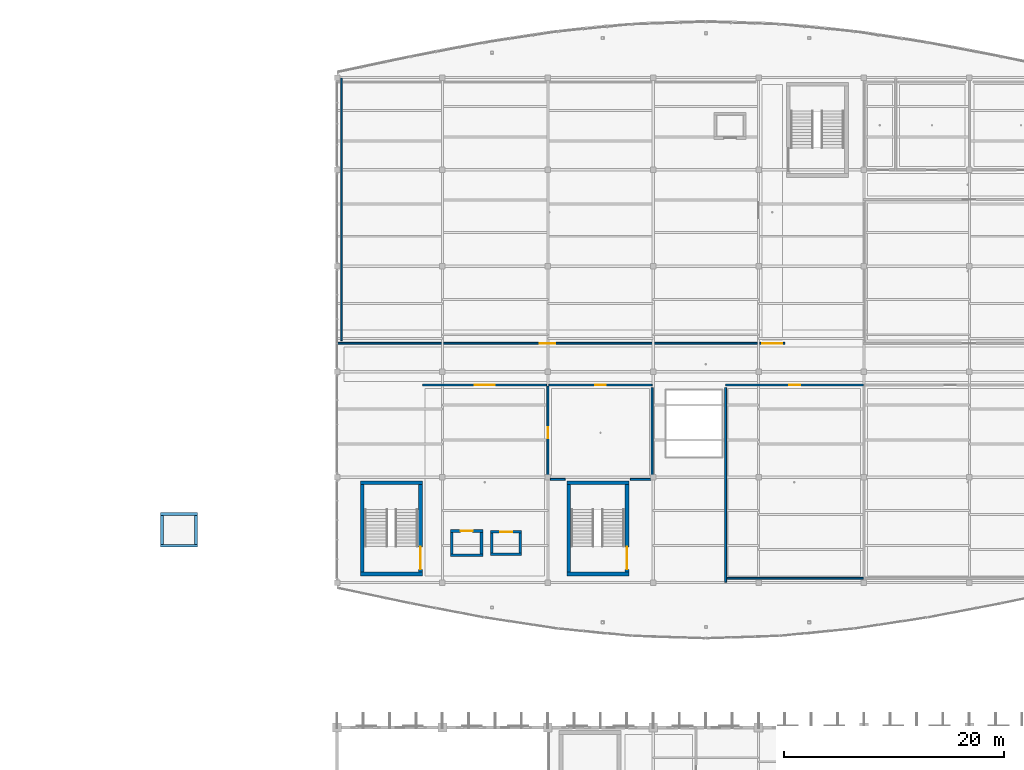
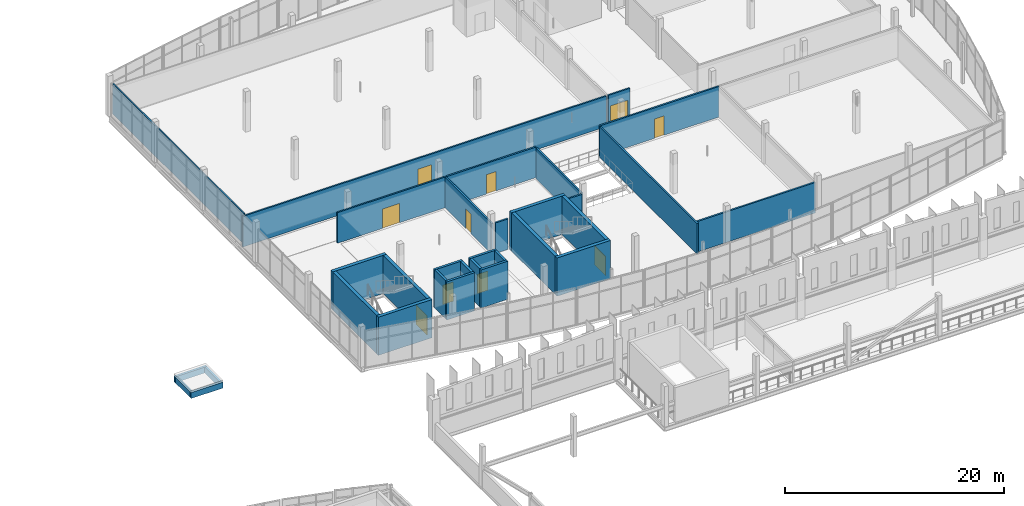
# One storey, part 96 of 114: 32 walls, 10 doors, 10 openings.
"""IFC4 building model written with IfcOpenShell, lengths in metres."""

from ifc_helpers import new_model, si_unit, direction, frame, frame_2d, origin, place, context, subcontext, project, spatial, rectangle, extrude, material, layer, layer_set, type_object, element, fill, save


model = new_model("IFC4")

# Units and contexts
model_context = context("Model", 3, precision=1e-05, world=origin(), true_north=direction((0.0, 1.0)))
body_context = subcontext(model_context, "Body", "Model", "MODEL_VIEW")
ifc_project = project(units=[si_unit("LENGTHUNIT", "METRE"), si_unit("AREAUNIT", "SQUARE_METRE"), si_unit("VOLUMEUNIT", "CUBIC_METRE"), si_unit("PLANEANGLEUNIT", "RADIAN"), si_unit("MASSUNIT", "GRAM", prefix="KILO")], contexts=[model_context])

# Site, building, storey
site_placement = place(None, origin())
site = spatial("IfcSite", under=ifc_project, at=site_placement, CompositionType="ELEMENT")
building_placement = place(site_placement, origin())
building = spatial("IfcBuilding", under=site, at=building_placement, Name="Chalmorin Arch Market", CompositionType="ELEMENT")
storey_placement = place(building_placement, frame((0.0, 0.0, 9.60009765625)))
storey = spatial("IfcBuildingStorey", under=building, at=storey_placement, Name="L02", CompositionType="ELEMENT", Elevation=9.60009765625)

# Wall, opening, door
ifc_material_1 = material(Name="Gypsum Board Partition")
ifc_layer_1 = layer(ifc_material_1, 0.175048828125)
ifc_layer_set_1 = layer_set([ifc_layer_1], Name="Gypsum Board Partition")
wall_type_1 = type_object("IfcWallType", Name="AcousticStudioPartition-175", PredefinedType="PARTITIONING", material=ifc_layer_set_1)
wall_1_placement = place(storey_placement, frame((67.199951171875, 81.39990234375, 0.0), z_axis=(0.0, 0.0, 1.0), x_axis=(0.0, 1.0, 0.0)))
wall_1 = element("IfcWall", 1, at=wall_1_placement, inside=storey, type_object=wall_type_1, Name="ASP-175-549", PredefinedType="PARTITIONING", context=body_context, shape_type="SweptSolid", body=[
    extrude(rectangle(XDim=8.5, YDim=0.175048828125, at=frame_2d((4.25, 0.0))), origin(), (0.0, 0.0, 1.0), 3.39990234375),
])
opening_1_placement = place(wall_1_placement, frame((3.75, 0.0, 0.0)))
opening_1 = element("IfcOpeningElement", 2, at=opening_1_placement, cuts=wall_1, Name="Opening ID-181", PredefinedType="OPENING", context=body_context, shape_type="SweptSolid", body=[
    extrude(rectangle(XDim=1.0, YDim=2.14990234375, at=frame_2d((0.5, 1.074951171875))), frame((0.0, 0.097412109375, 0.0), z_axis=(0.0, -1.0, 0.0), x_axis=(1.0, 0.0, 0.0)), (0.0, 0.0, 1.0), 0.195068359375),
])
ifc_material_2 = material(Name="Oak Engineered Timber", Category="wood")
door_type_1 = type_object("IfcDoorType", Name="ClassroomAcousticDoor-1000x2150", OperationType="NOTDEFINED", PredefinedType="DOOR", material=ifc_material_2)
door_1_placement = place(opening_1_placement, origin())
door_1 = element("IfcDoor", 3, at=door_1_placement, inside=storey, type_object=door_type_1, Name="ID-181", OperationType="SINGLE_SWING_LEFT", OverallHeight=2.14990234375, OverallWidth=1.0, PredefinedType="DOOR", context=body_context, shape_type="SweptSolid", body=[
    extrude(rectangle(XDim=1.0, YDim=2.14990234375, at=frame_2d((0.5, 1.074951171875))), frame((0.0, 0.02490234375, 0.0), z_axis=(0.0, -1.0, 0.0), x_axis=(1.0, 0.0, 0.0)), (0.0, 0.0, 1.0), 0.050048828125),
])
fill(opening_1, door_1)

wall_2_placement = place(storey_placement, frame((67.300048828125, 90.0, 0.0), z_axis=(0.0, 0.0, 1.0), x_axis=(1.0, 0.0, 0.0)))
wall_2 = element("IfcWall", 4, at=wall_2_placement, inside=storey, type_object=wall_type_1, Name="ASP-175-551", PredefinedType="PARTITIONING", context=body_context, shape_type="SweptSolid", body=[
    extrude(rectangle(XDim=9.39990234375, YDim=0.175048828125, at=frame_2d((4.699951171875, 0.0))), origin(), (0.0, 0.0, 1.0), 3.39990234375),
])
opening_2_placement = place(wall_2_placement, frame((4.199951171875, 0.0, 0.0)))
opening_2 = element("IfcOpeningElement", 5, at=opening_2_placement, cuts=wall_2, Name="Opening ID-183", PredefinedType="OPENING", context=body_context, shape_type="SweptSolid", body=[
    extrude(rectangle(XDim=1.0, YDim=2.14990234375, at=frame_2d((0.5, 1.074951171875))), frame((0.0, 0.097412109375, 0.0), z_axis=(0.0, -1.0, 0.0), x_axis=(1.0, 0.0, 0.0)), (0.0, 0.0, 1.0), 0.195068359375),
])
door_2_placement = place(opening_2_placement, origin())
door_2 = element("IfcDoor", 6, at=door_2_placement, inside=storey, type_object=door_type_1, Name="ID-183", OperationType="SINGLE_SWING_LEFT", OverallHeight=2.14990234375, OverallWidth=1.0, PredefinedType="DOOR", context=body_context, shape_type="SweptSolid", body=[
    extrude(rectangle(XDim=1.0, YDim=2.14990234375, at=frame_2d((0.5, 1.074951171875))), frame((0.0, 0.02490234375, 0.0), z_axis=(0.0, -1.0, 0.0), x_axis=(1.0, 0.0, 0.0)), (0.0, 0.0, 1.0), 0.050048828125),
])
fill(opening_2, door_2)

wall_3_placement = place(storey_placement, frame((83.39990234375, 90.0, 0.0), z_axis=(0.0, 0.0, 1.0), x_axis=(1.0, 0.0, 0.0)))
wall_3 = element("IfcWall", 7, at=wall_3_placement, inside=storey, type_object=wall_type_1, Name="ASP-175-553", PredefinedType="PARTITIONING", context=body_context, shape_type="SweptSolid", body=[
    extrude(rectangle(XDim=12.550048828125, YDim=0.175048828125, at=frame_2d((6.27490234375, 0.0))), origin(), (0.0, 0.0, 1.0), 3.39990234375),
])
opening_3_placement = place(wall_3_placement, frame((5.77490234375, 0.0, 0.0)))
opening_3 = element("IfcOpeningElement", 8, at=opening_3_placement, cuts=wall_3, Name="Opening ID-184", PredefinedType="OPENING", context=body_context, shape_type="SweptSolid", body=[
    extrude(rectangle(XDim=1.0, YDim=2.14990234375, at=frame_2d((0.5, 1.074951171875))), frame((0.0, 0.097412109375, 0.0), z_axis=(0.0, -1.0, 0.0), x_axis=(1.0, 0.0, 0.0)), (0.0, 0.0, 1.0), 0.195068359375),
])
door_3_placement = place(opening_3_placement, origin())
door_3 = element("IfcDoor", 9, at=door_3_placement, inside=storey, type_object=door_type_1, Name="ID-184", OperationType="SINGLE_SWING_RIGHT", OverallHeight=2.14990234375, OverallWidth=1.0, PredefinedType="DOOR", context=body_context, shape_type="SweptSolid", body=[
    extrude(rectangle(XDim=1.0, YDim=2.14990234375, at=frame_2d((0.5, 1.074951171875))), frame((0.0, 0.02490234375, 0.0), z_axis=(0.0, -1.0, 0.0), x_axis=(1.0, 0.0, 0.0)), (0.0, 0.0, 1.0), 0.050048828125),
])
fill(opening_3, door_3)

# Walls
wall_4_placement = place(storey_placement, frame((67.43994140625, 81.39990234375, 0.0), z_axis=(0.0, 0.0, 1.0), x_axis=(1.0, 0.0, 0.0)))
element("IfcWall", 10, at=wall_4_placement, inside=storey, type_object=wall_type_1, Name="ASP-175-572", PredefinedType="PARTITIONING", context=body_context, shape_type="SweptSolid", body=[
    extrude(rectangle(XDim=1.344970703125, YDim=0.175048828125, at=frame_2d((0.67236328125, 0.0))), origin(), (0.0, 0.0, 1.0), 3.39990234375),
])
wall_5_placement = place(storey_placement, frame((74.715087890625, 81.39990234375, 0.0), z_axis=(0.0, 0.0, 1.0), x_axis=(1.0, 0.0, 0.0)))
element("IfcWall", 11, at=wall_5_placement, inside=storey, type_object=wall_type_1, Name="ASP-175-573", PredefinedType="PARTITIONING", context=body_context, shape_type="SweptSolid", body=[
    extrude(rectangle(XDim=1.844970703125, YDim=0.175048828125, at=frame_2d((0.92236328125, 0.0))), origin(), (0.0, 0.0, 1.0), 3.39990234375),
])
wall_6_placement = place(storey_placement, frame((76.699951171875, 81.5400390625, 0.0), z_axis=(0.0, 0.0, 1.0), x_axis=(0.0, 1.0, 0.0)))
element("IfcWall", 12, at=wall_6_placement, inside=storey, type_object=wall_type_1, Name="ASP-175-574", PredefinedType="PARTITIONING", context=body_context, shape_type="SweptSolid", body=[
    extrude(rectangle(XDim=8.219970703125, YDim=0.175048828125, at=frame_2d((4.10986328125, 0.0))), origin(), (0.0, 0.0, 1.0), 3.39990234375),
])
wall_7_placement = place(storey_placement, frame((83.5400390625, 72.39990234375, 0.0), z_axis=(0.0, 0.0, 1.0), x_axis=(1.0, 0.0, 0.0)))
element("IfcWall", 13, at=wall_7_placement, inside=storey, type_object=wall_type_1, Name="ASP-175-575", PredefinedType="PARTITIONING", context=body_context, shape_type="SweptSolid", body=[
    extrude(rectangle(XDim=12.409912109375, YDim=0.175048828125, at=frame_2d((6.205078125, 0.0))), origin(), (0.0, 0.0, 1.0), 3.39990234375),
])
wall_8_placement = place(storey_placement, frame((83.39990234375, 72.050048828125, 0.0), z_axis=(0.0, 0.0, 1.0), x_axis=(0.0, 1.0, 0.0)))
element("IfcWall", 14, at=wall_8_placement, inside=storey, type_object=wall_type_1, Name="ASP-175-576", PredefinedType="PARTITIONING", context=body_context, shape_type="SweptSolid", body=[
    extrude(rectangle(XDim=17.7099609375, YDim=0.175048828125, at=frame_2d((8.85498046875, 0.0))), origin(), (0.0, 0.0, 1.0), 3.39990234375),
])
ifc_material_3 = material(Name="Concrete C40/50", Category="concrete")
ifc_layer_2 = layer(ifc_material_3, 0.35009765625)
ifc_layer_set_2 = layer_set([ifc_layer_2], Name="Concrete C40/50")
wall_type_2 = type_object("IfcWallType", Name="CoreShearWall-350", PredefinedType="SHEAR", material=ifc_layer_set_2)
for number, where, z_axis, x_axis, name in (
    (15, (55.77490234375, 72.800048828125, 0.0), (0.0, 0.0, 1.0), (-1.0, 0.0, 0.0), "CSW-350-077"),
    (16, (50.125, 81.10009765625, 0.0), (0.0, 0.0, 1.0), (1.0, 0.0, 0.0), "CSW-350-078"),
):
    element("IfcWall", number, at=place(storey_placement, frame(where, z_axis=z_axis, x_axis=x_axis)), inside=storey, type_object=wall_type_2, Name=name, PredefinedType="SHEAR", context=body_context, shape_type="SweptSolid", body=[
        extrude(rectangle(XDim=5.64990234375, YDim=0.35009765625, at=frame_2d((2.824951171875, 0.0))), origin(), (0.0, 0.0, 1.0), 4.25),
    ])
wall_9_placement = place(storey_placement, frame((50.300048828125, 72.97509765625, 0.0), z_axis=(0.0, 0.0, 1.0), x_axis=(0.0, 1.0, 0.0)))
element("IfcWall", 17, at=wall_9_placement, inside=storey, type_object=wall_type_2, Name="CSW-350-079", PredefinedType="SHEAR", context=body_context, shape_type="SweptSolid", body=[
    extrude(rectangle(XDim=7.949951171875, YDim=0.35009765625, at=frame_2d((3.97509765625, 0.0))), origin(), (0.0, 0.0, 1.0), 4.25),
])

# Wall, opening, door
wall_10_placement = place(storey_placement, frame((55.60009765625, 80.925048828125, 0.0), z_axis=(0.0, 0.0, 1.0), x_axis=(0.0, -1.0, 0.0)))
wall_10 = element("IfcWall", 18, at=wall_10_placement, inside=storey, type_object=wall_type_2, Name="CSW-350-080", PredefinedType="SHEAR", context=body_context, shape_type="SweptSolid", body=[
    extrude(rectangle(XDim=7.949951171875, YDim=0.35009765625, at=frame_2d((3.97509765625, 0.0))), origin(), (0.0, 0.0, 1.0), 4.25),
])
opening_4_placement = place(wall_10_placement, frame((5.679931640625, 0.0, 0.0)))
opening_4 = element("IfcOpeningElement", 19, at=opening_4_placement, cuts=wall_10, Name="Opening FD-SC5-L02", PredefinedType="OPENING", context=body_context, shape_type="SweptSolid", body=[
    extrude(rectangle(XDim=2.050048828125, YDim=2.14990234375, at=frame_2d((1.02490234375, 1.074951171875))), frame((0.0, 0.18505859375, 0.0), z_axis=(0.0, -1.0, 0.0), x_axis=(1.0, 0.0, 0.0)), (0.0, 0.0, 1.0), 0.3701171875),
])
ifc_material_4 = material(Name="Galvanised Steel", Category="steel")
door_type_2 = type_object("IfcDoorType", Name="DoubleFireExitDoor-2050x2150", OperationType="DOUBLE_DOOR_SINGLE_SWING", PredefinedType="DOOR", material=ifc_material_4)
door_4_placement = place(opening_4_placement, origin())
door_4 = element("IfcDoor", 20, at=door_4_placement, inside=storey, type_object=door_type_2, Name="FD-SC5-L02", OperationType="DOUBLE_DOOR_SINGLE_SWING", OverallHeight=2.14990234375, OverallWidth=2.050048828125, PredefinedType="DOOR", context=body_context, shape_type="SweptSolid", body=[
    extrude(rectangle(XDim=2.050048828125, YDim=2.14990234375, at=frame_2d((1.02490234375, 1.074951171875))), frame((0.0, 0.02490234375, 0.0), z_axis=(0.0, -1.0, 0.0), x_axis=(1.0, 0.0, 0.0)), (0.0, 0.0, 1.0), 0.050048828125),
])
fill(opening_4, door_4)

# Walls
for number, where, z_axis, x_axis, name in (
    (21, (74.574951171875, 72.800048828125, 0.0), (0.0, 0.0, 1.0), (-1.0, 0.0, 0.0), "CSW-350-117"),
    (22, (68.925048828125, 81.10009765625, 0.0), (0.0, 0.0, 1.0), (1.0, 0.0, 0.0), "CSW-350-118"),
):
    element("IfcWall", number, at=place(storey_placement, frame(where, z_axis=z_axis, x_axis=x_axis)), inside=storey, type_object=wall_type_2, Name=name, PredefinedType="SHEAR", context=body_context, shape_type="SweptSolid", body=[
        extrude(rectangle(XDim=5.64990234375, YDim=0.35009765625, at=frame_2d((2.824951171875, 0.0))), origin(), (0.0, 0.0, 1.0), 4.25),
    ])
wall_11_placement = place(storey_placement, frame((69.10009765625, 72.97509765625, 0.0), z_axis=(0.0, 0.0, 1.0), x_axis=(0.0, 1.0, 0.0)))
element("IfcWall", 23, at=wall_11_placement, inside=storey, type_object=wall_type_2, Name="CSW-350-119", PredefinedType="SHEAR", context=body_context, shape_type="SweptSolid", body=[
    extrude(rectangle(XDim=7.949951171875, YDim=0.35009765625, at=frame_2d((3.97509765625, 0.0))), origin(), (0.0, 0.0, 1.0), 4.25),
])

# Wall, opening, door
wall_12_placement = place(storey_placement, frame((74.39990234375, 80.925048828125, 0.0), z_axis=(0.0, 0.0, 1.0), x_axis=(0.0, -1.0, 0.0)))
wall_12 = element("IfcWall", 24, at=wall_12_placement, inside=storey, type_object=wall_type_2, Name="CSW-350-120", PredefinedType="SHEAR", context=body_context, shape_type="SweptSolid", body=[
    extrude(rectangle(XDim=7.949951171875, YDim=0.35009765625, at=frame_2d((3.97509765625, 0.0))), origin(), (0.0, 0.0, 1.0), 4.25),
])
opening_5_placement = place(wall_12_placement, frame((5.679931640625, 0.0, 0.0)))
opening_5 = element("IfcOpeningElement", 25, at=opening_5_placement, cuts=wall_12, Name="Opening FD-SC7-L02", PredefinedType="OPENING", context=body_context, shape_type="SweptSolid", body=[
    extrude(rectangle(XDim=2.050048828125, YDim=2.14990234375, at=frame_2d((1.02490234375, 1.074951171875))), frame((0.0, 0.18505859375, 0.0), z_axis=(0.0, -1.0, 0.0), x_axis=(1.0, 0.0, 0.0)), (0.0, 0.0, 1.0), 0.3701171875),
])
door_5_placement = place(opening_5_placement, origin())
door_5 = element("IfcDoor", 26, at=door_5_placement, inside=storey, type_object=door_type_2, Name="FD-SC7-L02", OperationType="DOUBLE_DOOR_SINGLE_SWING", OverallHeight=2.14990234375, OverallWidth=2.050048828125, PredefinedType="DOOR", context=body_context, shape_type="SweptSolid", body=[
    extrude(rectangle(XDim=2.050048828125, YDim=2.14990234375, at=frame_2d((1.02490234375, 1.074951171875))), frame((0.0, 0.02490234375, 0.0), z_axis=(0.0, -1.0, 0.0), x_axis=(1.0, 0.0, 0.0)), (0.0, 0.0, 1.0), 0.050048828125),
])
fill(opening_5, door_5)

ifc_layer_3 = layer(ifc_material_1, 0.159912109375)
ifc_layer_set_3 = layer_set([ifc_layer_3], Name="Gypsum Board Partition")
wall_type_3 = type_object("IfcWallType", Name="CorridorRatedPartition-160", PredefinedType="PARTITIONING", material=ifc_layer_set_3)
wall_13_placement = place(storey_placement, frame((55.800048828125, 90.0, 0.0), z_axis=(0.0, 0.0, 1.0), x_axis=(1.0, 0.0, 0.0)))
wall_13 = element("IfcWall", 27, at=wall_13_placement, inside=storey, type_object=wall_type_3, Name="CRP-160-550", PredefinedType="PARTITIONING", context=body_context, shape_type="SweptSolid", body=[
    extrude(rectangle(XDim=11.300048828125, YDim=0.159912109375, at=frame_2d((5.64990234375, 0.0))), origin(), (0.0, 0.0, 1.0), 3.39990234375),
])
opening_6_placement = place(wall_13_placement, frame((4.75, 0.0, 0.0)))
opening_6 = element("IfcOpeningElement", 28, at=opening_6_placement, cuts=wall_13, Name="Opening ID-182", PredefinedType="OPENING", context=body_context, shape_type="SweptSolid", body=[
    extrude(rectangle(XDim=1.800048828125, YDim=2.14990234375, at=frame_2d((0.89990234375, 1.074951171875))), frame((0.0, 0.08984375, 0.0), z_axis=(0.0, -1.0, 0.0), x_axis=(1.0, 0.0, 0.0)), (0.0, 0.0, 1.0), 0.179931640625),
])
door_type_3 = type_object("IfcDoorType", Name="CorridorFireDoubleDoor-1800x2150", OperationType="DOUBLE_DOOR_SINGLE_SWING", PredefinedType="DOOR", material=ifc_material_4)
door_6_placement = place(opening_6_placement, origin())
door_6 = element("IfcDoor", 29, at=door_6_placement, inside=storey, type_object=door_type_3, Name="ID-182", OperationType="DOUBLE_DOOR_SINGLE_SWING", OverallHeight=2.14990234375, OverallWidth=1.800048828125, PredefinedType="DOOR", context=body_context, shape_type="SweptSolid", body=[
    extrude(rectangle(XDim=1.800048828125, YDim=2.14990234375, at=frame_2d((0.89990234375, 1.074951171875))), frame((0.0, 0.02490234375, 0.0), z_axis=(0.0, -1.0, 0.0), x_axis=(1.0, 0.0, 0.0)), (0.0, 0.0, 1.0), 0.050048828125),
])
fill(opening_6, door_6)

wall_14_placement = place(storey_placement, frame((86.5, 93.800048828125, 0.0), z_axis=(0.0, 0.0, 1.0), x_axis=(1.0, 0.0, 0.0)))
wall_14 = element("IfcWall", 30, at=wall_14_placement, inside=storey, type_object=wall_type_3, Name="CRP-160-555", PredefinedType="PARTITIONING", context=body_context, shape_type="SweptSolid", body=[
    extrude(rectangle(XDim=2.300048828125, YDim=0.159912109375, at=frame_2d((1.14990234375, 0.0))), origin(), (0.0, 0.0, 1.0), 3.39990234375),
])
opening_7_placement = place(wall_14_placement, frame((0.25, 0.0, 0.0)))
opening_7 = element("IfcOpeningElement", 31, at=opening_7_placement, cuts=wall_14, Name="Opening ID-186", PredefinedType="OPENING", context=body_context, shape_type="SweptSolid", body=[
    extrude(rectangle(XDim=1.800048828125, YDim=2.14990234375, at=frame_2d((0.89990234375, 1.074951171875))), frame((0.0, 0.08984375, 0.0), z_axis=(0.0, -1.0, 0.0), x_axis=(1.0, 0.0, 0.0)), (0.0, 0.0, 1.0), 0.179931640625),
])
door_7_placement = place(opening_7_placement, origin())
door_7 = element("IfcDoor", 32, at=door_7_placement, inside=storey, type_object=door_type_3, Name="ID-186", OperationType="DOUBLE_DOOR_SINGLE_SWING", OverallHeight=2.14990234375, OverallWidth=1.800048828125, PredefinedType="DOOR", context=body_context, shape_type="SweptSolid", body=[
    extrude(rectangle(XDim=1.800048828125, YDim=2.14990234375, at=frame_2d((0.89990234375, 1.074951171875))), frame((0.0, 0.02490234375, 0.0), z_axis=(0.0, -1.0, 0.0), x_axis=(1.0, 0.0, 0.0)), (0.0, 0.0, 1.0), 0.050048828125),
])
fill(opening_7, door_7)

wall_15_placement = place(storey_placement, frame((48.050048828125, 93.800048828125, 0.0), z_axis=(0.0, 0.0, 1.0), x_axis=(1.0, 0.0, 0.0)))
wall_15 = element("IfcWall", 33, at=wall_15_placement, inside=storey, type_object=wall_type_3, Name="CRP-160-556", PredefinedType="PARTITIONING", context=body_context, shape_type="SweptSolid", body=[
    extrude(rectangle(XDim=38.25, YDim=0.159912109375, at=frame_2d((19.125, 0.0))), origin(), (0.0, 0.0, 1.0), 3.39990234375),
])
opening_8_placement = place(wall_15_placement, frame((18.39990234375, 0.0, 0.0)))
opening_8 = element("IfcOpeningElement", 34, at=opening_8_placement, cuts=wall_15, Name="Opening ID-187", PredefinedType="OPENING", context=body_context, shape_type="SweptSolid", body=[
    extrude(rectangle(XDim=1.449951171875, YDim=2.199951171875, at=frame_2d((0.72509765625, 1.10009765625))), frame((0.0, 0.08984375, 0.0), z_axis=(0.0, -1.0, 0.0), x_axis=(1.0, 0.0, 0.0)), (0.0, 0.0, 1.0), 0.179931640625),
])
door_type_4 = type_object("IfcDoorType", Name="LibraryDoubleDoor-1450x2200", OperationType="DOUBLE_DOOR_SINGLE_SWING", PredefinedType="DOOR", material=ifc_material_2)
door_8_placement = place(opening_8_placement, origin())
door_8 = element("IfcDoor", 35, at=door_8_placement, inside=storey, type_object=door_type_4, Name="ID-187", OperationType="DOUBLE_DOOR_SINGLE_SWING", OverallHeight=2.199951171875, OverallWidth=1.449951171875, PredefinedType="DOOR", context=body_context, shape_type="SweptSolid", body=[
    extrude(rectangle(XDim=1.449951171875, YDim=2.199951171875, at=frame_2d((0.72509765625, 1.10009765625))), frame((0.0, 0.02490234375, 0.0), z_axis=(0.0, -1.0, 0.0), x_axis=(1.0, 0.0, 0.0)), (0.0, 0.0, 1.0), 0.050048828125),
])
fill(opening_8, door_8)

# Walls
ifc_material_5 = material(Name="Powder-coated Aluminium Panel", Category="aluminium")
ifc_layer_4 = layer(ifc_material_5, 0.125)
ifc_layer_set_4 = layer_set([ifc_layer_4], Name="Powder-coated Aluminium Panel")
wall_type_4 = type_object("IfcWallType", Name="DemountableStudStallPartition-125", PredefinedType="PARTITIONING", material=ifc_layer_set_4)
wall_16_placement = place(storey_placement, frame((48.39990234375, 94.0400390625, 0.0), z_axis=(0.0, 0.0, 1.0), x_axis=(0.0, 1.0, 0.0)))
element("IfcWall", 36, at=wall_16_placement, inside=storey, type_object=wall_type_4, Name="DSP-125-580", PredefinedType="PARTITIONING", context=body_context, shape_type="SweptSolid", body=[
    extrude(rectangle(XDim=23.909912109375, YDim=0.125, at=frame_2d((11.955078125, 0.0))), origin(), (0.0, 0.0, 1.0), 3.39990234375),
])
ifc_material_6 = material(Name="Concrete C35/45", Category="concrete")
ifc_layer_5 = layer(ifc_material_6, 0.25)
ifc_layer_set_5 = layer_set([ifc_layer_5], Name="Concrete C35/45")
wall_type_5 = type_object("IfcWallType", Name="ShaftEnclosureWall-250", PredefinedType="SOLIDWALL", material=ifc_layer_set_5)
wall_17_placement = place(storey_placement, frame((61.27490234375, 74.5, 0.0), z_axis=(0.0, 0.0, 1.0), x_axis=(-1.0, 0.0, 0.0)))
element("IfcWall", 37, at=wall_17_placement, inside=storey, type_object=wall_type_5, Name="SEW-250-186", PredefinedType="SOLIDWALL", context=body_context, shape_type="SweptSolid", body=[
    extrude(rectangle(XDim=2.949951171875, YDim=0.25, at=frame_2d((1.47509765625, 0.0))), origin(), (0.0, 0.0, 1.0), 4.25),
])

# Wall, opening, door
wall_18_placement = place(storey_placement, frame((58.324951171875, 76.699951171875, 0.0), z_axis=(0.0, 0.0, 1.0), x_axis=(1.0, 0.0, 0.0)))
wall_18 = element("IfcWall", 38, at=wall_18_placement, inside=storey, type_object=wall_type_5, Name="SEW-250-187", PredefinedType="SOLIDWALL", context=body_context, shape_type="SweptSolid", body=[
    extrude(rectangle(XDim=2.949951171875, YDim=0.25, at=frame_2d((1.47509765625, 0.0))), origin(), (0.0, 0.0, 1.0), 4.25),
])
opening_9_placement = place(wall_18_placement, frame((0.925048828125, 0.0, 0.0)))
opening_9 = element("IfcOpeningElement", 39, at=opening_9_placement, cuts=wall_18, Name="Opening LD-LF-FF1-L02", PredefinedType="OPENING", context=body_context, shape_type="SweptSolid", body=[
    extrude(rectangle(XDim=1.10009765625, YDim=2.14990234375, at=frame_2d((0.550048828125, 1.074951171875))), frame((0.0, 0.135009765625, 0.0), z_axis=(0.0, -1.0, 0.0), x_axis=(1.0, 0.0, 0.0)), (0.0, 0.0, 1.0), 0.27001953125),
])
ifc_material_7 = material(Name="Stainless Steel 316", Category="steel")
door_type_5 = type_object("IfcDoorType", Name="LiftLandingSlidingDoor-1100x2150", OperationType="DOUBLE_DOOR_SLIDING", PredefinedType="DOOR", material=ifc_material_7)
door_9_placement = place(opening_9_placement, origin())
door_9 = element("IfcDoor", 40, at=door_9_placement, inside=storey, type_object=door_type_5, Name="LD-LF-FF1-L02", OperationType="DOUBLE_DOOR_SLIDING", OverallHeight=2.14990234375, OverallWidth=1.10009765625, PredefinedType="DOOR", context=body_context, shape_type="SweptSolid", body=[
    extrude(rectangle(XDim=1.10009765625, YDim=2.14990234375, at=frame_2d((0.550048828125, 1.074951171875))), frame((0.0, 0.02490234375, 0.0), z_axis=(0.0, -1.0, 0.0), x_axis=(1.0, 0.0, 0.0)), (0.0, 0.0, 1.0), 0.050048828125),
])
fill(opening_9, door_9)

# Walls
for number, where, z_axis, x_axis, name in (
    (41, (58.449951171875, 74.625, 0.0), (0.0, 0.0, 1.0), (0.0, 1.0, 0.0), "SEW-250-188"),
    (42, (61.14990234375, 76.574951171875, 0.0), (0.0, 0.0, 1.0), (0.0, -1.0, 0.0), "SEW-250-189"),
):
    element("IfcWall", number, at=place(storey_placement, frame(where, z_axis=z_axis, x_axis=x_axis)), inside=storey, type_object=wall_type_5, Name=name, PredefinedType="SOLIDWALL", context=body_context, shape_type="SweptSolid", body=[
        extrude(rectangle(XDim=1.949951171875, YDim=0.25, at=frame_2d((0.97509765625, 0.0))), origin(), (0.0, 0.0, 1.0), 4.25),
    ])
wall_19_placement = place(storey_placement, frame((64.824951171875, 74.574951171875, 0.0), z_axis=(0.0, 0.0, 1.0), x_axis=(-1.0, 0.0, 0.0)))
element("IfcWall", 43, at=wall_19_placement, inside=storey, type_object=wall_type_5, Name="SEW-250-274", PredefinedType="SOLIDWALL", context=body_context, shape_type="SweptSolid", body=[
    extrude(rectangle(XDim=2.849853515625, YDim=0.25, at=frame_2d((1.4248046875, 0.0))), origin(), (0.0, 0.0, 1.0), 4.25),
])

# Wall, opening, door
wall_20_placement = place(storey_placement, frame((61.97509765625, 76.625, 0.0), z_axis=(0.0, 0.0, 1.0), x_axis=(1.0, 0.0, 0.0)))
wall_20 = element("IfcWall", 44, at=wall_20_placement, inside=storey, type_object=wall_type_5, Name="SEW-250-275", PredefinedType="SOLIDWALL", context=body_context, shape_type="SweptSolid", body=[
    extrude(rectangle(XDim=2.849853515625, YDim=0.25, at=frame_2d((1.4248046875, 0.0))), origin(), (0.0, 0.0, 1.0), 4.25),
])
opening_10_placement = place(wall_20_placement, frame((0.875, 0.0, 0.0)))
opening_10 = element("IfcOpeningElement", 45, at=opening_10_placement, cuts=wall_20, Name="Opening LD-LF-P4-L02", PredefinedType="OPENING", context=body_context, shape_type="SweptSolid", body=[
    extrude(rectangle(XDim=1.10009765625, YDim=2.14990234375, at=frame_2d((0.550048828125, 1.074951171875))), frame((0.0, 0.135009765625, 0.0), z_axis=(0.0, -1.0, 0.0), x_axis=(1.0, 0.0, 0.0)), (0.0, 0.0, 1.0), 0.27001953125),
])
door_10_placement = place(opening_10_placement, origin())
door_10 = element("IfcDoor", 46, at=door_10_placement, inside=storey, type_object=door_type_5, Name="LD-LF-P4-L02", OperationType="DOUBLE_DOOR_SLIDING", OverallHeight=2.14990234375, OverallWidth=1.10009765625, PredefinedType="DOOR", context=body_context, shape_type="SweptSolid", body=[
    extrude(rectangle(XDim=1.10009765625, YDim=2.14990234375, at=frame_2d((0.550048828125, 1.074951171875))), frame((0.0, 0.02490234375, 0.0), z_axis=(0.0, -1.0, 0.0), x_axis=(1.0, 0.0, 0.0)), (0.0, 0.0, 1.0), 0.050048828125),
])
fill(opening_10, door_10)

# Walls
for number, where, z_axis, x_axis, name in (
    (47, (62.10009765625, 74.699951171875, 0.0), (0.0, 0.0, 1.0), (0.0, 1.0, 0.0), "SEW-250-276"),
    (48, (64.699951171875, 76.5, 0.0), (0.0, 0.0, 1.0), (0.0, -1.0, 0.0), "SEW-250-277"),
):
    element("IfcWall", number, at=place(storey_placement, frame(where, z_axis=z_axis, x_axis=x_axis)), inside=storey, type_object=wall_type_5, Name=name, PredefinedType="SOLIDWALL", context=body_context, shape_type="SweptSolid", body=[
        extrude(rectangle(XDim=1.800048828125, YDim=0.25, at=frame_2d((0.89990234375, 0.0))), origin(), (0.0, 0.0, 1.0), 4.25),
    ])
for number, where, z_axis, x_axis, name in (
    (49, (35.27490234375, 75.35009765625, 0.0), (0.0, 0.0, 1.0), (-1.0, 0.0, 0.0), "SEW-250-294"),
    (50, (31.925048828125, 78.25, 0.0), (0.0, 0.0, 1.0), (1.0, 0.0, 0.0), "SEW-250-295"),
):
    element("IfcWall", number, at=place(storey_placement, frame(where, z_axis=z_axis, x_axis=x_axis)), inside=storey, type_object=wall_type_5, Name=name, PredefinedType="SOLIDWALL", context=body_context, shape_type="SweptSolid", body=[
        extrude(rectangle(XDim=3.349853515625, YDim=0.25, at=frame_2d((1.6748046875, 0.0))), origin(), (0.0, 0.0, 1.0), 0.64990234375),
    ])
for number, where, z_axis, x_axis, name in (
    (51, (32.050048828125, 75.47509765625, 0.0), (0.0, 0.0, 1.0), (0.0, 1.0, 0.0), "SEW-250-296"),
    (52, (35.14990234375, 78.125, 0.0), (0.0, 0.0, 1.0), (0.0, -1.0, 0.0), "SEW-250-297"),
):
    element("IfcWall", number, at=place(storey_placement, frame(where, z_axis=z_axis, x_axis=x_axis)), inside=storey, type_object=wall_type_5, Name=name, PredefinedType="SOLIDWALL", context=body_context, shape_type="SweptSolid", body=[
        extrude(rectangle(XDim=2.64990234375, YDim=0.25, at=frame_2d((1.324951171875, 0.0))), origin(), (0.0, 0.0, 1.0), 0.64990234375),
    ])

save(model, "model.ifc")
